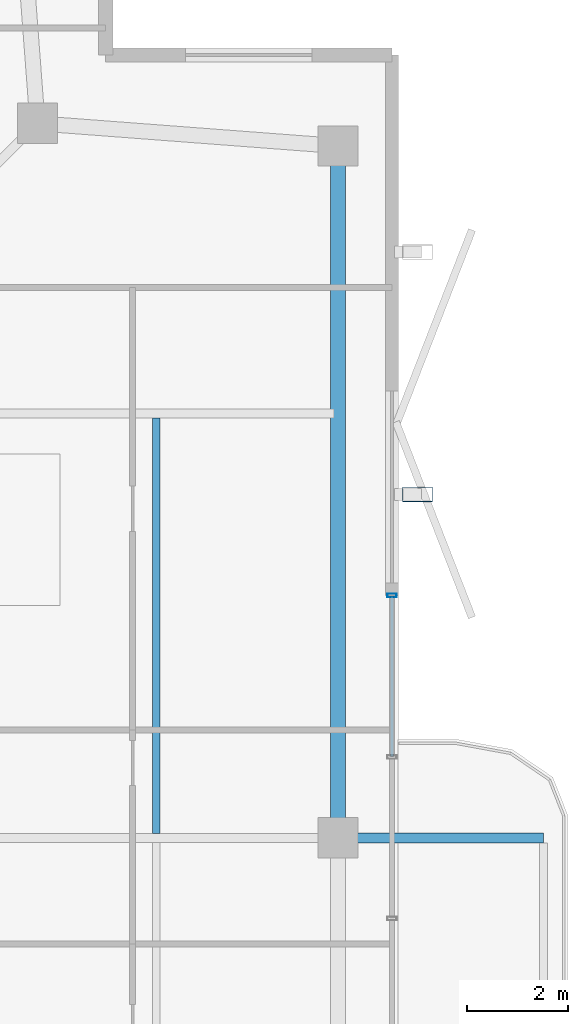
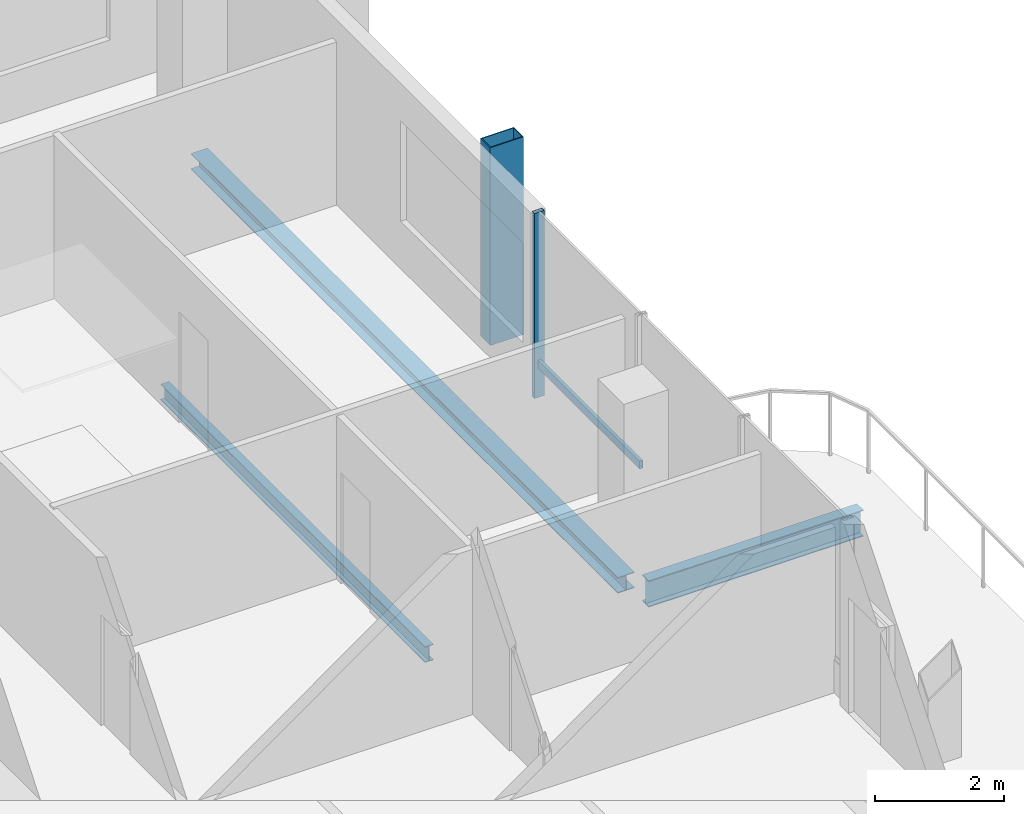
# One storey, part 10 of 22: 3 beams, 3 members, 1 element without a shape of its own.
"""IFC4 building model written with IfcOpenShell, lengths in metres."""

from ifc_helpers import new_model, si_unit, direction, frame, origin, origin_2d, place, context, subcontext, project, spatial, hollow_rectangle, i_section, extrude, material, layer, layer_set, material_profile, profile_set, type_object, element, aggregate, save


model = new_model("IFC4")

# Units and contexts
model_context = context("Model", 3, precision=1e-05, world=origin(), true_north=direction((0.0, 1.0)))
body_context = subcontext(model_context, "Body", "Model", "MODEL_VIEW")
ifc_project = project(units=[si_unit("LENGTHUNIT", "METRE"), si_unit("AREAUNIT", "SQUARE_METRE"), si_unit("VOLUMEUNIT", "CUBIC_METRE"), si_unit("PLANEANGLEUNIT", "RADIAN"), si_unit("MASSUNIT", "GRAM", prefix="KILO")], contexts=[model_context])

# Site, building, storey
site_placement = place(None, origin())
site = spatial("IfcSite", under=ifc_project, at=site_placement, CompositionType="ELEMENT")
building_placement = place(site_placement, origin())
building = spatial("IfcBuilding", under=site, at=building_placement, Name="Belovzor Exchange Tower", CompositionType="ELEMENT")
storey_placement = place(building_placement, frame((0.0, 0.0, 348.0)))
storey = spatial("IfcBuildingStorey", under=building, at=storey_placement, Name="L87", CompositionType="ELEMENT", Elevation=348.0)

# Beams
ifc_material_1 = material(Name="Steel S355", Category="steel")
ifc_material_profile_1 = material_profile(ifc_material_1, i_section(OverallWidth=0.199951171875, OverallDepth=0.5, WebThickness=0.01025390625, FlangeThickness=0.01611328125, at=origin_2d()))
ifc_profile_set_1 = profile_set([ifc_material_profile_1], Name="Steel S355")
beam_type_1 = type_object("IfcBeamType", Name="Planted Balcony Cantilever Beam IPE 500", PredefinedType="BEAM", material=ifc_profile_set_1)
beam_1_placement = place(storey_placement, frame((49.1201171875, 28.800048828125, -0.489990234375), z_axis=(1.0, 0.0, 0.0), x_axis=(0.0, 1.0, 0.0)))
element("IfcBeam", 1, at=beam_1_placement, inside=storey, type_object=beam_type_1, Name="BC-500 Planted Balcony Cantilever Beam IPE 500", PredefinedType="BEAM", context=body_context, shape_type="SweptSolid", body=[
    extrude(i_section(OverallWidth=0.199951171875, OverallDepth=0.5, WebThickness=0.01025390625, FlangeThickness=0.01611328125, at=origin_2d()), origin(), (0.0, 0.0, 1.0), 3.849853515625),
])
ifc_material_2 = material(Name="Steel S355", Category="steel")
ifc_material_profile_2 = material_profile(ifc_material_2, i_section(OverallWidth=0.14990234375, OverallDepth=0.300048828125, WebThickness=0.007080078125, FlangeThickness=0.0107421875, at=origin_2d()))
ifc_profile_set_2 = profile_set([ifc_material_profile_2], Name="Steel S355")
beam_type_2 = type_object("IfcBeamType", Name="Secondary Trim Floor Joist IPE 300", PredefinedType="BEAM", material=ifc_profile_set_2)
beam_2_placement = place(storey_placement, frame((45.297119140625, 28.889892578125, -0.389892578125), z_axis=(0.0, 1.0, 0.0), x_axis=(-1.0, 0.0, 0.0)))
element("IfcBeam", 2, at=beam_2_placement, inside=storey, type_object=beam_type_2, Name="FJ-300 Secondary Trim Floor Joist IPE 300", PredefinedType="BEAM", context=body_context, shape_type="SweptSolid", body=[
    extrude(i_section(OverallWidth=0.14990234375, OverallDepth=0.300048828125, WebThickness=0.007080078125, FlangeThickness=0.0107421875, at=origin_2d()), origin(), (0.0, 0.0, 1.0), 8.22021484375),
])

# Curtain wall, members
ifc_material_3 = material(Name="Anodised Aluminium Framing", Category="aluminium")
ifc_layer = layer(ifc_material_3, 0.179931640625)
ifc_layer_set = layer_set([ifc_layer], Name="Anodised Aluminium Framing")
curtain_wall_type = type_object("IfcCurtainWallType", Name="Recessed Loggia Low-Iron Triple-Glazed Curtain Wall", PredefinedType="NOTDEFINED", material=ifc_layer_set)
curtain_wall_placement = place(storey_placement, origin())
curtain_wall = element("IfcCurtainWall", 3, at=curtain_wall_placement, inside=storey, type_object=curtain_wall_type, Name="CW3 Recessed Loggia Low-Iron Triple-Glazed Curtain Wall L87", PredefinedType="NOTDEFINED")
ifc_material_4 = material(Name="Steel S355", Category="steel")
ifc_material_profile_3 = material_profile(ifc_material_4, hollow_rectangle(XDim=0.074951171875, YDim=0.179931640625, WallThickness=0.0048828125, at=origin_2d()))
ifc_profile_set_3 = profile_set([ifc_material_profile_3], Name="Steel S355")
member_type_1 = type_object("IfcMemberType", Name="Thermally Broken Curtain Wall Mullion 180x75", PredefinedType="MULLION", material=ifc_profile_set_3)
member_1_placement = place(storey_placement, frame((49.969970703125, 33.60009765625, 0.0), z_axis=(0.0, 0.0, 1.0), x_axis=(0.0, -1.0, 0.0)))
member_1 = element("IfcMember", 4, at=member_1_placement, type_object=member_type_1, Name="CW-M180 Curtain Wall Mullion 1", PredefinedType="MULLION", context=body_context, shape_type="SweptSolid", body=[
    extrude(hollow_rectangle(XDim=0.074951171875, YDim=0.179931640625, WallThickness=0.0048828125, at=origin_2d()), origin(), (0.0, 0.0, 1.0), 3.510009765625),
])
ifc_material_5 = material(Name="Steel S355", Category="steel")
ifc_material_profile_4 = material_profile(ifc_material_5, hollow_rectangle(XDim=0.06005859375, YDim=0.14990234375, WallThickness=0.00390625, at=origin_2d()))
ifc_profile_set_4 = profile_set([ifc_material_profile_4], Name="Steel S355")
member_type_2 = type_object("IfcMemberType", Name="Thermally Broken Curtain Wall Transom 150x60", PredefinedType="USERDEFINED", material=ifc_profile_set_4)
member_2_placement = place(storey_placement, frame((49.969970703125, 33.592041015625, 0.632080078125), z_axis=(0.0, -1.0, 0.0), x_axis=(1.0, 0.0, 0.0)))
member_2 = element("IfcMember", 5, at=member_2_placement, type_object=member_type_2, Name="CW-T150 Curtain Wall Transom 1", ObjectType="TRANSOM", PredefinedType="USERDEFINED", context=body_context, shape_type="SweptSolid", body=[
    extrude(hollow_rectangle(XDim=0.06005859375, YDim=0.14990234375, WallThickness=0.00390625, at=origin_2d()), origin(), (0.0, 0.0, 1.0), 3.18408203125),
])
aggregate(curtain_wall, [member_1, member_2])

# Member
ifc_material_6 = material(Name="Extruded Architectural Terracotta on Steel S355 Carrier", Category="masonry")
ifc_material_profile_5 = material_profile(ifc_material_6, hollow_rectangle(XDim=0.300048828125, YDim=0.60009765625, WallThickness=0.01611328125, at=origin_2d()))
ifc_profile_set_5 = profile_set([ifc_material_profile_5], Name="Extruded Architectural Terracotta on Steel S355 Carrier")
member_type_3 = type_object("IfcMemberType", Name="Upper Crown Terracotta Fin Assembly 550", PredefinedType="USERDEFINED", material=ifc_profile_set_5)
member_3_placement = place(storey_placement, frame((50.47509765625, 35.60009765625, -0.239990234375), z_axis=(0.0, 0.0, 1.0), x_axis=(0.0, 1.0, 0.0)))
element("IfcMember", 6, at=member_3_placement, inside=storey, type_object=member_type_3, Name="FIN-TC055 Terracotta Facade Fin L87 E3", ObjectType="FIN", PredefinedType="USERDEFINED", context=body_context, shape_type="SweptSolid", body=[
    extrude(hollow_rectangle(XDim=0.300048828125, YDim=0.60009765625, WallThickness=0.01611328125, at=origin_2d()), origin(), (0.0, 0.0, 1.0), 3.75),
])

# Beam
ifc_material_7 = material(Name="Steel S355", Category="steel")
ifc_material_profile_6 = material_profile(ifc_material_7, i_section(OverallWidth=0.300048828125, OverallDepth=0.300048828125, WebThickness=0.008544921875, FlangeThickness=0.013916015625, at=origin_2d()))
ifc_profile_set_6 = profile_set([ifc_material_profile_6], Name="Steel S355")
beam_type_3 = type_object("IfcBeamType", Name="Zone 6 Primary Girder HEA 300", PredefinedType="BEAM", material=ifc_profile_set_6)
beam_3_placement = place(storey_placement, frame((48.89990234375, 29.02001953125, -0.389892578125), z_axis=(0.0, 1.0, 0.0), x_axis=(-1.0, 0.0, 0.0)))
element("IfcBeam", 7, at=beam_3_placement, inside=storey, type_object=beam_type_3, Name="FG-Z6 Zone 6 Primary Girder HEA 300", PredefinedType="BEAM", context=body_context, shape_type="SweptSolid", body=[
    extrude(i_section(OverallWidth=0.300048828125, OverallDepth=0.300048828125, WebThickness=0.008544921875, FlangeThickness=0.013916015625, at=origin_2d()), origin(), (0.0, 0.0, 1.0), 13.260009765625),
])

save(model, "model.ifc")
